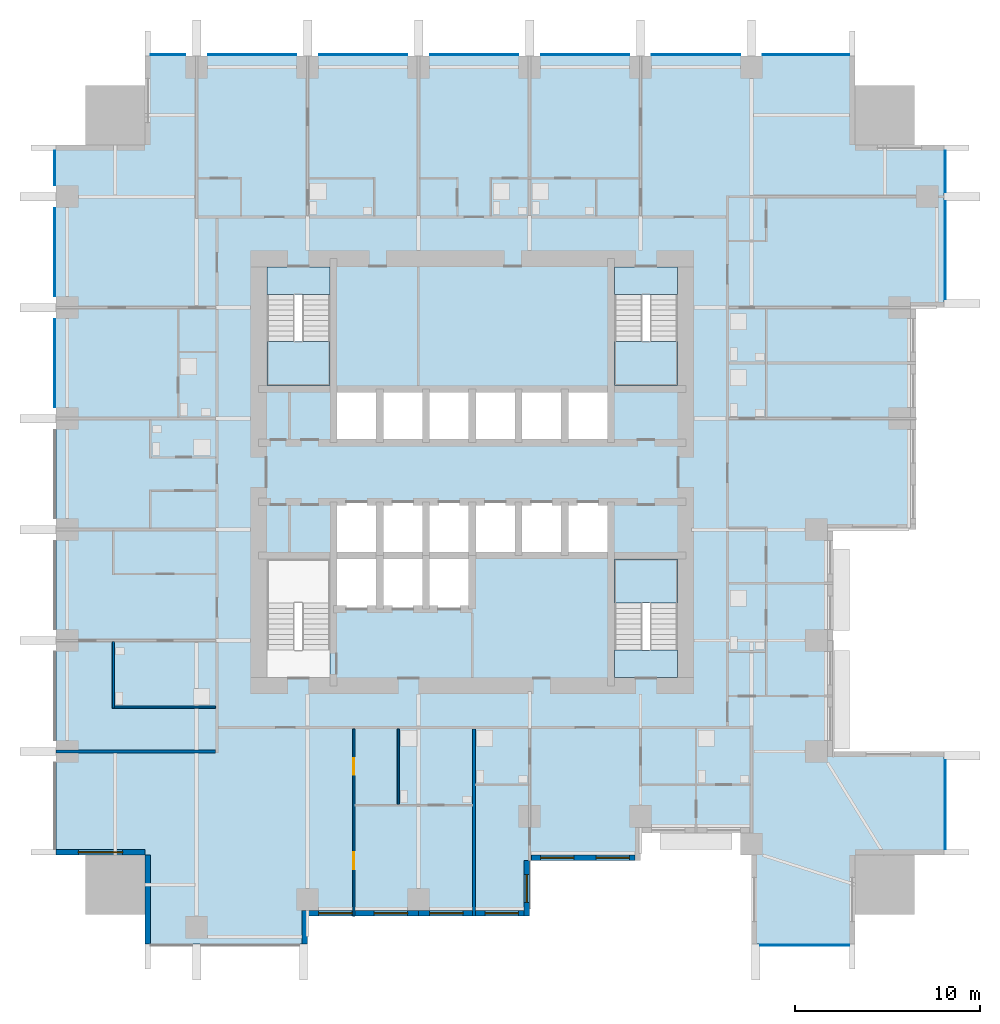
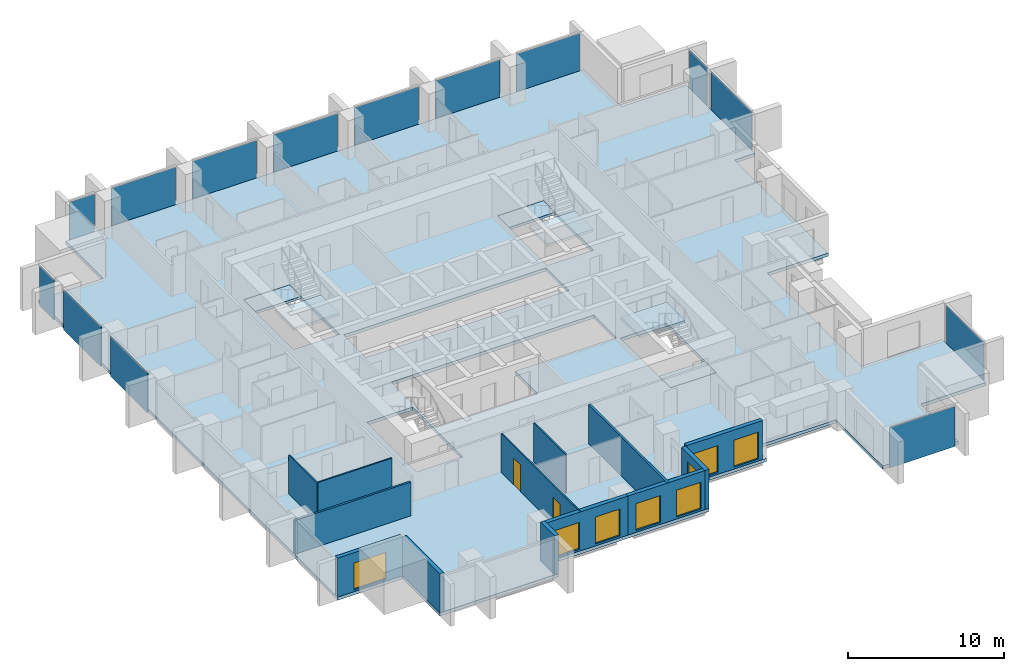
# One storey, part 3 of 10: 14 plates, 13 walls, 8 windows, 7 slabs, 2 doors, 10 openings, 8 elements without a shape of their own.
"""IFC4 building model written with IfcOpenShell, lengths in metres."""

from ifc_helpers import new_model, si_unit, direction, frame, frame_2d, origin, origin_2d, place, context, subcontext, project, spatial, polyline, rectangle, outline, extrude, material, layer, layer_set, type_object, element, fill, aggregate, save


model = new_model("IFC4")

# Units and contexts
model_context = context("Model", 3, precision=1e-05, world=origin(), true_north=direction((0.0, 1.0)))
body_context = subcontext(model_context, "Body", "Model", "MODEL_VIEW")
ifc_project = project(units=[si_unit("LENGTHUNIT", "METRE"), si_unit("AREAUNIT", "SQUARE_METRE"), si_unit("VOLUMEUNIT", "CUBIC_METRE"), si_unit("PLANEANGLEUNIT", "RADIAN"), si_unit("MASSUNIT", "GRAM", prefix="KILO")], contexts=[model_context])

# Site, building, storey
site_placement = place(None, origin())
site = spatial("IfcSite", under=ifc_project, at=site_placement, CompositionType="ELEMENT")
building_placement = place(site_placement, origin())
building = spatial("IfcBuilding", under=site, at=building_placement, Name="Amberfall Residences", CompositionType="ELEMENT")
storey_placement = place(building_placement, frame((0.0, 0.0, 63.10009765625)))
storey = spatial("IfcBuildingStorey", under=building, at=storey_placement, Name="L17", CompositionType="ELEMENT", Elevation=63.10009765625)

# Curtain wall, plate
ifc_material_1 = material(Name="Bronze anodised aluminium and glass", Category="aluminium")
curtain_wall_type = type_object("IfcCurtainWallType", Name="Curtain wall CW1 tower unit", PredefinedType="USERDEFINED", material=ifc_material_1)
curtain_wall_1_placement = place(storey_placement, origin())
curtain_wall_1 = element("IfcCurtainWall", 1, at=curtain_wall_1_placement, inside=storey, type_object=curtain_wall_type, Name="Curtain wall L17 S S10", ObjectType="UNITISED CURTAIN WALL", PredefinedType="USERDEFINED")
ifc_material_2 = material(Name="Tinted double glazed unit", Category="glass")
ifc_layer_1 = layer(ifc_material_2, 0.035888671875)
ifc_layer_set_1 = layer_set([ifc_layer_1], Name="CW1 panel 36 glazing")
plate_type = type_object("IfcPlateType", Name="CW1 panel 36 glazing", PredefinedType="CURTAIN_PANEL", material=ifc_layer_set_1)
plate_1_placement = place(storey_placement, frame((92.47509765625, 19.925048828125, -0.25), z_axis=(0.0, 0.0, 1.0), x_axis=(1.0, 0.0, 0.0)))
plate_1 = element("IfcPlate", 2, at=plate_1_placement, type_object=plate_type, Name="CW1 panel 1.1", PredefinedType="CURTAIN_PANEL", context=body_context, shape_type="SweptSolid", body=[
    extrude(rectangle(XDim=4.825927734375, YDim=0.035888671875, at=origin_2d()), origin(), (0.0, 0.0, 1.0), 3.14990234375),
])
aggregate(curtain_wall_1, [plate_1])

curtain_wall_2_placement = place(storey_placement, origin())
curtain_wall_2 = element("IfcCurtainWall", 3, at=curtain_wall_2_placement, inside=storey, type_object=curtain_wall_type, Name="Curtain wall L17 E E1", ObjectType="UNITISED CURTAIN WALL", PredefinedType="USERDEFINED")
plate_2_placement = place(storey_placement, frame((100.074951171875, 27.52490234375, -0.25), z_axis=(0.0, 0.0, 1.0), x_axis=(0.0, 1.0, 0.0)))
plate_2 = element("IfcPlate", 4, at=plate_2_placement, type_object=plate_type, Name="CW1 panel 1.1", PredefinedType="CURTAIN_PANEL", context=body_context, shape_type="SweptSolid", body=[
    extrude(rectangle(XDim=4.825927734375, YDim=0.035888671875, at=origin_2d()), origin(), (0.0, 0.0, 1.0), 3.14990234375),
])
aggregate(curtain_wall_2, [plate_2])

# Curtain wall, plates
curtain_wall_3_placement = place(storey_placement, origin())
curtain_wall_3 = element("IfcCurtainWall", 5, at=curtain_wall_3_placement, inside=storey, type_object=curtain_wall_type, Name="Curtain wall L17 E E9", ObjectType="UNITISED CURTAIN WALL", PredefinedType="USERDEFINED")
plate_3_placement = place(storey_placement, frame((100.074951171875, 57.512451171875, -0.25), z_axis=(0.0, 0.0, 1.0), x_axis=(0.0, 1.0, 0.0)))
plate_3 = element("IfcPlate", 6, at=plate_3_placement, type_object=plate_type, Name="CW1 panel 1.1", PredefinedType="CURTAIN_PANEL", context=body_context, shape_type="SweptSolid", body=[
    extrude(rectangle(XDim=5.301025390625, YDim=0.035888671875, at=origin_2d()), origin(), (0.0, 0.0, 1.0), 3.14990234375),
])
plate_4_placement = place(storey_placement, frame((100.074951171875, 61.762451171875, -0.25), z_axis=(0.0, 0.0, 1.0), x_axis=(0.0, 1.0, 0.0)))
plate_4 = element("IfcPlate", 7, at=plate_4_placement, type_object=plate_type, Name="CW1 panel 2.1", PredefinedType="CURTAIN_PANEL", context=body_context, shape_type="SweptSolid", body=[
    extrude(rectangle(XDim=2.2509765625, YDim=0.035888671875, at=origin_2d()), origin(), (0.0, 0.0, 1.0), 3.14990234375),
])
aggregate(curtain_wall_3, [plate_3, plate_4])

curtain_wall_4_placement = place(storey_placement, origin())
curtain_wall_4 = element("IfcCurtainWall", 8, at=curtain_wall_4_placement, inside=storey, type_object=curtain_wall_type, Name="Curtain wall L17 N N1", ObjectType="UNITISED CURTAIN WALL", PredefinedType="USERDEFINED")
plate_5_placement = place(storey_placement, frame((92.552490234375, 68.074951171875, -0.25), z_axis=(0.0, 0.0, 1.0), x_axis=(-1.0, 0.0, 0.0)))
plate_5 = element("IfcPlate", 9, at=plate_5_placement, type_object=plate_type, Name="CW1 panel 1.1", PredefinedType="CURTAIN_PANEL", context=body_context, shape_type="SweptSolid", body=[
    extrude(rectangle(XDim=4.6708984375, YDim=0.035888671875, at=origin_2d()), origin(), (0.0, 0.0, 1.0), 3.14990234375),
])
plate_6_placement = place(storey_placement, frame((86.60009765625, 68.074951171875, -0.25), z_axis=(0.0, 0.0, 1.0), x_axis=(-1.0, 0.0, 0.0)))
plate_6 = element("IfcPlate", 10, at=plate_6_placement, type_object=plate_type, Name="CW1 panel 2.1", PredefinedType="CURTAIN_PANEL", context=body_context, shape_type="SweptSolid", body=[
    extrude(rectangle(XDim=4.76611328125, YDim=0.035888671875, at=origin_2d()), origin(), (0.0, 0.0, 1.0), 3.14990234375),
])
plate_7_placement = place(storey_placement, frame((80.60009765625, 68.074951171875, -0.25), z_axis=(0.0, 0.0, 1.0), x_axis=(-1.0, 0.0, 0.0)))
plate_7 = element("IfcPlate", 11, at=plate_7_placement, type_object=plate_type, Name="CW1 panel 3.1", PredefinedType="CURTAIN_PANEL", context=body_context, shape_type="SweptSolid", body=[
    extrude(rectangle(XDim=4.76611328125, YDim=0.035888671875, at=origin_2d()), origin(), (0.0, 0.0, 1.0), 3.14990234375),
])
plate_8_placement = place(storey_placement, frame((74.60009765625, 68.074951171875, -0.25), z_axis=(0.0, 0.0, 1.0), x_axis=(-1.0, 0.0, 0.0)))
plate_8 = element("IfcPlate", 12, at=plate_8_placement, type_object=plate_type, Name="CW1 panel 4.1", PredefinedType="CURTAIN_PANEL", context=body_context, shape_type="SweptSolid", body=[
    extrude(rectangle(XDim=4.76611328125, YDim=0.035888671875, at=origin_2d()), origin(), (0.0, 0.0, 1.0), 3.14990234375),
])
plate_9_placement = place(storey_placement, frame((68.60009765625, 68.074951171875, -0.25), z_axis=(0.0, 0.0, 1.0), x_axis=(-1.0, 0.0, 0.0)))
plate_9 = element("IfcPlate", 13, at=plate_9_placement, type_object=plate_type, Name="CW1 panel 5.1", PredefinedType="CURTAIN_PANEL", context=body_context, shape_type="SweptSolid", body=[
    extrude(rectangle(XDim=4.76611328125, YDim=0.035888671875, at=origin_2d()), origin(), (0.0, 0.0, 1.0), 3.14990234375),
])
plate_10_placement = place(storey_placement, frame((62.60009765625, 68.074951171875, -0.25), z_axis=(0.0, 0.0, 1.0), x_axis=(-1.0, 0.0, 0.0)))
plate_10 = element("IfcPlate", 14, at=plate_10_placement, type_object=plate_type, Name="CW1 panel 6.1", PredefinedType="CURTAIN_PANEL", context=body_context, shape_type="SweptSolid", body=[
    extrude(rectangle(XDim=4.76611328125, YDim=0.035888671875, at=origin_2d()), origin(), (0.0, 0.0, 1.0), 3.14990234375),
])
plate_11_placement = place(storey_placement, frame((58.047607421875, 68.074951171875, -0.25), z_axis=(0.0, 0.0, 1.0), x_axis=(-1.0, 0.0, 0.0)))
plate_11 = element("IfcPlate", 15, at=plate_11_placement, type_object=plate_type, Name="CW1 panel 7.1", PredefinedType="CURTAIN_PANEL", context=body_context, shape_type="SweptSolid", body=[
    extrude(rectangle(XDim=1.87109375, YDim=0.035888671875, at=origin_2d()), origin(), (0.0, 0.0, 1.0), 3.14990234375),
])
aggregate(curtain_wall_4, [plate_5, plate_6, plate_7, plate_8, plate_9, plate_10, plate_11])

curtain_wall_5_placement = place(storey_placement, origin())
curtain_wall_5 = element("IfcCurtainWall", 16, at=curtain_wall_5_placement, inside=storey, type_object=curtain_wall_type, Name="Curtain wall L17 W W1", ObjectType="UNITISED CURTAIN WALL", PredefinedType="USERDEFINED")
plate_12_placement = place(storey_placement, frame((51.925048828125, 61.952392578125, -0.25), z_axis=(0.0, 0.0, 1.0), x_axis=(0.0, -1.0, 0.0)))
plate_12 = element("IfcPlate", 17, at=plate_12_placement, type_object=plate_type, Name="CW1 panel 1.1", PredefinedType="CURTAIN_PANEL", context=body_context, shape_type="SweptSolid", body=[
    extrude(rectangle(XDim=1.87109375, YDim=0.035888671875, at=origin_2d()), origin(), (0.0, 0.0, 1.0), 3.14990234375),
])
plate_13_placement = place(storey_placement, frame((51.925048828125, 57.39990234375, -0.25), z_axis=(0.0, 0.0, 1.0), x_axis=(0.0, -1.0, 0.0)))
plate_13 = element("IfcPlate", 18, at=plate_13_placement, type_object=plate_type, Name="CW1 panel 2.1", PredefinedType="CURTAIN_PANEL", context=body_context, shape_type="SweptSolid", body=[
    extrude(rectangle(XDim=4.76611328125, YDim=0.035888671875, at=origin_2d()), origin(), (0.0, 0.0, 1.0), 3.14990234375),
])
plate_14_placement = place(storey_placement, frame((51.925048828125, 51.39990234375, -0.25), z_axis=(0.0, 0.0, 1.0), x_axis=(0.0, -1.0, 0.0)))
plate_14 = element("IfcPlate", 19, at=plate_14_placement, type_object=plate_type, Name="CW1 panel 3.1", PredefinedType="CURTAIN_PANEL", context=body_context, shape_type="SweptSolid", body=[
    extrude(rectangle(XDim=4.76611328125, YDim=0.035888671875, at=origin_2d()), origin(), (0.0, 0.0, 1.0), 3.14990234375),
])
aggregate(curtain_wall_5, [plate_12, plate_13, plate_14])

# Slab
ifc_material_3 = material(Name="Concrete C80", Category="concrete")
ifc_layer_2 = layer(ifc_material_3, 0.25)
ifc_layer_set_2 = layer_set([ifc_layer_2], Name="Floor slab 250 C80")
slab_type_1 = type_object("IfcSlabType", Name="Floor slab 250 C80", PredefinedType="FLOOR", material=ifc_layer_set_2)
slab_1_placement = place(storey_placement, frame((0.0, 0.0, -0.25)))
element("IfcSlab", 20, at=slab_1_placement, inside=storey, type_object=slab_type_1, Name="Floor slab S3 L17", PredefinedType="FLOOR", context=body_context, shape_type="SweptSolid", body=[
    extrude(outline(polyline([(89.60009765625, 20.0), (89.60009765625, 26.0), (83.60009765625, 26.0), (83.60009765625, 24.5), (77.60009765625, 24.5), (77.60009765625, 21.5), (71.60009765625, 21.5), (65.60009765625, 21.5), (65.60009765625, 20.0), (56.800048828125, 20.0), (56.800048828125, 24.800048828125), (52.0, 24.800048828125), (52.0, 63.199951171875), (56.800048828125, 63.199951171875), (56.800048828125, 68.0), (95.199951171875, 68.0), (95.199951171875, 63.199951171875), (100.0, 63.199951171875), (100.0, 54.39990234375), (98.5, 54.39990234375), (98.5, 48.39990234375), (98.5, 42.39990234375), (94.0, 42.39990234375), (94.0, 36.39990234375), (94.0, 30.39990234375), (100.0, 30.39990234375), (100.0, 24.800048828125), (95.199951171875, 24.800048828125), (95.199951171875, 20.0), (89.60009765625, 20.0)]), holes=[polyline([(85.60009765625, 34.39990234375), (85.60009765625, 40.800048828125), (82.199951171875, 40.800048828125), (82.199951171875, 34.39990234375), (85.60009765625, 34.39990234375)]), polyline([(82.199951171875, 50.199951171875), (85.60009765625, 50.199951171875), (85.60009765625, 56.60009765625), (82.199951171875, 56.60009765625), (82.199951171875, 50.199951171875)]), polyline([(69.5, 50.0), (67.0, 50.0), (67.0, 47.10009765625), (69.5, 47.10009765625), (72.0, 47.10009765625), (74.5, 47.10009765625), (77.0, 47.10009765625), (79.5, 47.10009765625), (82.0, 47.10009765625), (82.0, 50.0), (79.5, 50.0), (77.0, 50.0), (74.5, 50.0), (72.0, 50.0), (69.5, 50.0)]), polyline([(74.5, 41.0), (77.0, 41.0), (79.5, 41.0), (82.0, 41.0), (82.0, 43.89990234375), (79.5, 43.89990234375), (77.0, 43.89990234375), (74.5, 43.89990234375), (72.0, 43.89990234375), (69.5, 43.89990234375), (67.0, 43.89990234375), (67.0, 41.0), (67.0, 38.10009765625), (69.5, 38.10009765625), (72.0, 38.10009765625), (74.5, 38.10009765625), (74.5, 41.0)]), polyline([(66.800048828125, 34.39990234375), (66.800048828125, 40.800048828125), (63.39990234375, 40.800048828125), (63.39990234375, 34.39990234375), (66.800048828125, 34.39990234375)]), polyline([(66.800048828125, 50.199951171875), (66.800048828125, 56.60009765625), (63.39990234375, 56.60009765625), (63.39990234375, 50.199951171875), (66.800048828125, 50.199951171875)])]), origin(), (0.0, 0.0, 1.0), 0.25),
])

# Stair, slabs
ifc_material_4 = material(Name="Concrete C40", Category="concrete")
stair_type = type_object("IfcStairType", Name="Exit stair 20 risers 165.0 mm", PredefinedType="HALF_TURN_STAIR", material=ifc_material_4)
stair_1_placement = place(storey_placement, origin())
stair_1 = element("IfcStair", 21, at=stair_1_placement, inside=storey, type_object=stair_type, Name="L17 Exit stair 2", PredefinedType="HALF_TURN_STAIR")
ifc_layer_3 = layer(ifc_material_4, 0.199951171875)
ifc_layer_set_3 = layer_set([ifc_layer_3], Name="Stair landing 200")
slab_type_2 = type_object("IfcSlabType", Name="Stair landing 200", PredefinedType="LANDING", material=ifc_layer_set_3)
slab_2_placement = place(storey_placement, frame((0.0, 0.0, 1.449951171875)))
slab_2 = element("IfcSlab", 22, at=slab_2_placement, type_object=slab_type_2, Name="ST3 landing 1", PredefinedType="LANDING", context=body_context, shape_type="SweptSolid", body=[
    extrude(outline(polyline([(85.60009765625, 38.419921875), (85.60009765625, 40.800048828125), (82.199951171875, 40.800048828125), (82.199951171875, 38.419921875), (85.60009765625, 38.419921875)])), origin(), (0.0, 0.0, 1.0), 0.199951171875),
])
slab_3_placement = place(storey_placement, frame((0.0, 0.0, -0.2001953125)))
slab_3 = element("IfcSlab", 23, at=slab_3_placement, type_object=slab_type_2, Name="ST3 landing 2", PredefinedType="LANDING", context=body_context, shape_type="SweptSolid", body=[
    extrude(outline(polyline([(85.60009765625, 34.39990234375), (85.60009765625, 35.89990234375), (82.199951171875, 35.89990234375), (82.199951171875, 34.39990234375), (85.60009765625, 34.39990234375)])), origin(), (0.0, 0.0, 1.0), 0.2001953125),
])
aggregate(stair_1, [slab_2, slab_3])

stair_2_placement = place(storey_placement, origin())
stair_2 = element("IfcStair", 24, at=stair_2_placement, inside=storey, type_object=stair_type, Name="L17 Exit stair 3", PredefinedType="HALF_TURN_STAIR")
slab_4_placement = place(storey_placement, frame((0.0, 0.0, 1.449951171875)))
slab_4 = element("IfcSlab", 25, at=slab_4_placement, type_object=slab_type_2, Name="ST3 landing 1", PredefinedType="LANDING", context=body_context, shape_type="SweptSolid", body=[
    extrude(outline(polyline([(82.199951171875, 52.580078125), (82.199951171875, 50.199951171875), (85.60009765625, 50.199951171875), (85.60009765625, 52.580078125), (82.199951171875, 52.580078125)])), origin(), (0.0, 0.0, 1.0), 0.199951171875),
])
slab_5_placement = place(storey_placement, frame((0.0, 0.0, -0.2001953125)))
slab_5 = element("IfcSlab", 26, at=slab_5_placement, type_object=slab_type_2, Name="ST3 landing 2", PredefinedType="LANDING", context=body_context, shape_type="SweptSolid", body=[
    extrude(outline(polyline([(82.199951171875, 56.60009765625), (82.199951171875, 55.10009765625), (85.60009765625, 55.10009765625), (85.60009765625, 56.60009765625), (82.199951171875, 56.60009765625)])), origin(), (0.0, 0.0, 1.0), 0.2001953125),
])
aggregate(stair_2, [slab_4, slab_5])

stair_3_placement = place(storey_placement, origin())
stair_3 = element("IfcStair", 27, at=stair_3_placement, inside=storey, type_object=stair_type, Name="L17 Exit stair 4", PredefinedType="HALF_TURN_STAIR")
slab_6_placement = place(storey_placement, frame((0.0, 0.0, 1.449951171875)))
slab_6 = element("IfcSlab", 28, at=slab_6_placement, type_object=slab_type_2, Name="ST3 landing 1", PredefinedType="LANDING", context=body_context, shape_type="SweptSolid", body=[
    extrude(outline(polyline([(63.39990234375, 52.580078125), (63.39990234375, 50.199951171875), (66.800048828125, 50.199951171875), (66.800048828125, 52.580078125), (63.39990234375, 52.580078125)])), origin(), (0.0, 0.0, 1.0), 0.199951171875),
])
slab_7_placement = place(storey_placement, frame((0.0, 0.0, -0.2001953125)))
slab_7 = element("IfcSlab", 29, at=slab_7_placement, type_object=slab_type_2, Name="ST3 landing 2", PredefinedType="LANDING", context=body_context, shape_type="SweptSolid", body=[
    extrude(outline(polyline([(63.39990234375, 56.60009765625), (63.39990234375, 55.10009765625), (66.800048828125, 55.10009765625), (66.800048828125, 56.60009765625), (63.39990234375, 56.60009765625)])), origin(), (0.0, 0.0, 1.0), 0.2001953125),
])
aggregate(stair_3, [slab_6, slab_7])

# Wall
ifc_material_5 = material(Name="Pale stone cladding on insulated backing", Category="masonry")
ifc_layer_4 = layer(ifc_material_5, 0.300048828125)
ifc_layer_set_4 = layer_set([ifc_layer_4], Name="Bronze clad wall 300")
wall_type_1 = type_object("IfcWallType", Name="Bronze clad wall 300", PredefinedType="SOLIDWALL", material=ifc_layer_set_4)
wall_1_placement = place(storey_placement, frame((65.449951171875, 20.0, 0.0), z_axis=(0.0, 0.0, 1.0), x_axis=(0.0, 1.0, 0.0)))
element("IfcWall", 30, at=wall_1_placement, inside=storey, type_object=wall_type_1, Name="External wall L17 S", PredefinedType="SOLIDWALL", context=body_context, shape_type="SweptSolid", body=[
    extrude(rectangle(XDim=1.800048828125, YDim=0.300048828125, at=frame_2d((0.89990234375, 0.0))), origin(), (0.0, 0.0, 1.0), 3.0498046875),
])

# Wall, opening, window
wall_2_placement = place(storey_placement, frame((77.449951171875, 21.5, 0.0), z_axis=(0.0, 0.0, 1.0), x_axis=(0.0, 1.0, 0.0)))
wall_2 = element("IfcWall", 31, at=wall_2_placement, inside=storey, type_object=wall_type_1, Name="External wall L17 S", PredefinedType="SOLIDWALL", context=body_context, shape_type="SweptSolid", body=[
    extrude(rectangle(XDim=3.0, YDim=0.300048828125, at=frame_2d((1.5, 0.0))), origin(), (0.0, 0.0, 1.0), 3.0498046875),
])
opening_1_placement = place(wall_2_placement, frame((0.75, 0.0, 0.89990234375)))
opening_1 = element("IfcOpeningElement", 32, at=opening_1_placement, cuts=wall_2, Name="Opening WN1", PredefinedType="OPENING", context=body_context, shape_type="SweptSolid", body=[
    extrude(rectangle(XDim=1.5, YDim=1.5, at=frame_2d((0.75, 0.75))), frame((0.0, 0.159912109375, 0.0), z_axis=(0.0, -1.0, 0.0), x_axis=(1.0, 0.0, 0.0)), (0.0, 0.0, 1.0), 0.320068359375),
])
ifc_material_6 = material(Name="Bronze aluminium framed glazing", Category="aluminium")
window_type_1 = type_object("IfcWindowType", Name="Window 1500 x 1500 bronze", PartitioningType="DOUBLE_PANEL_VERTICAL", PredefinedType="WINDOW", material=ifc_material_6)
window_1_placement = place(opening_1_placement, origin())
window_1 = element("IfcWindow", 33, at=window_1_placement, inside=storey, type_object=window_type_1, Name="Window L17 S", OverallHeight=1.5, OverallWidth=1.5, PartitioningType="DOUBLE_PANEL_VERTICAL", PredefinedType="WINDOW", context=body_context, shape_type="SweptSolid", body=[
    extrude(rectangle(XDim=1.5, YDim=1.5, at=frame_2d((0.75, 0.75))), frame((0.0, 0.030029296875, 0.0), z_axis=(0.0, -1.0, 0.0), x_axis=(1.0, 0.0, 0.0)), (0.0, 0.0, 1.0), 0.06005859375),
])
fill(opening_1, window_1)

wall_3_placement = place(storey_placement, frame((52.0, 24.949951171875, 0.0), z_axis=(0.0, 0.0, 1.0), x_axis=(1.0, 0.0, 0.0)))
wall_3 = element("IfcWall", 34, at=wall_3_placement, inside=storey, type_object=wall_type_1, Name="External wall L17 SW", PredefinedType="SOLIDWALL", context=body_context, shape_type="SweptSolid", body=[
    extrude(rectangle(XDim=4.800048828125, YDim=0.300048828125, at=frame_2d((2.39990234375, 0.0))), origin(), (0.0, 0.0, 1.0), 3.0498046875),
])
opening_2_placement = place(wall_3_placement, frame((1.199951171875, 0.0, 0.14990234375)))
opening_2 = element("IfcOpeningElement", 35, at=opening_2_placement, cuts=wall_3, Name="Opening WN5", PredefinedType="OPENING", context=body_context, shape_type="SweptSolid", body=[
    extrude(rectangle(XDim=2.39990234375, YDim=2.10009765625, at=frame_2d((1.199951171875, 1.050048828125))), frame((0.0, 0.159912109375, 0.0), z_axis=(0.0, -1.0, 0.0), x_axis=(1.0, 0.0, 0.0)), (0.0, 0.0, 1.0), 0.320068359375),
])
window_type_2 = type_object("IfcWindowType", Name="Glazed opening 2400 x 2100 bronze", PartitioningType="DOUBLE_PANEL_VERTICAL", PredefinedType="WINDOW", material=ifc_material_6)
window_2_placement = place(opening_2_placement, origin())
window_2 = element("IfcWindow", 36, at=window_2_placement, inside=storey, type_object=window_type_2, Name="Window L17 SW", OverallHeight=2.10009765625, OverallWidth=2.39990234375, PartitioningType="DOUBLE_PANEL_VERTICAL", PredefinedType="WINDOW", context=body_context, shape_type="SweptSolid", body=[
    extrude(rectangle(XDim=2.39990234375, YDim=2.10009765625, at=frame_2d((1.199951171875, 1.050048828125))), frame((0.0, 0.030029296875, 0.0), z_axis=(0.0, -1.0, 0.0), x_axis=(1.0, 0.0, 0.0)), (0.0, 0.0, 1.0), 0.06005859375),
])
fill(opening_2, window_2)

# Wall
wall_4_placement = place(storey_placement, frame((56.949951171875, 24.800048828125, 0.0), z_axis=(0.0, 0.0, 1.0), x_axis=(0.0, -1.0, 0.0)))
element("IfcWall", 37, at=wall_4_placement, inside=storey, type_object=wall_type_1, Name="External wall L17 SW", PredefinedType="SOLIDWALL", context=body_context, shape_type="SweptSolid", body=[
    extrude(rectangle(XDim=4.800048828125, YDim=0.300048828125, at=frame_2d((2.39990234375, 0.0))), origin(), (0.0, 0.0, 1.0), 3.0498046875),
])

# Wall, openings, windows
wall_5_placement = place(storey_placement, frame((65.60009765625, 21.64990234375, 0.0), z_axis=(0.0, 0.0, 1.0), x_axis=(1.0, 0.0, 0.0)))
wall_5 = element("IfcWall", 38, at=wall_5_placement, inside=storey, type_object=wall_type_1, Name="Stone wall L17 S", PredefinedType="SOLIDWALL", context=body_context, shape_type="SweptSolid", body=[
    extrude(rectangle(XDim=6.0, YDim=0.300048828125, at=frame_2d((3.0, 0.0))), origin(), (0.0, 0.0, 1.0), 3.0498046875),
])
opening_3_placement = place(wall_5_placement, frame((0.60009765625, 0.0, 0.14990234375)))
opening_3 = element("IfcOpeningElement", 39, at=opening_3_placement, cuts=wall_5, Name="Opening WN6", PredefinedType="OPENING", context=body_context, shape_type="SweptSolid", body=[
    extrude(rectangle(XDim=1.800048828125, YDim=2.10009765625, at=frame_2d((0.89990234375, 1.050048828125))), frame((0.0, 0.159912109375, 0.0), z_axis=(0.0, -1.0, 0.0), x_axis=(1.0, 0.0, 0.0)), (0.0, 0.0, 1.0), 0.320068359375),
])
opening_4_placement = place(wall_5_placement, frame((3.60009765625, 0.0, 0.14990234375)))
opening_4 = element("IfcOpeningElement", 40, at=opening_4_placement, cuts=wall_5, Name="Opening WN6", PredefinedType="OPENING", context=body_context, shape_type="SweptSolid", body=[
    extrude(rectangle(XDim=1.800048828125, YDim=2.10009765625, at=frame_2d((0.89990234375, 1.050048828125))), frame((0.0, 0.159912109375, 0.0), z_axis=(0.0, -1.0, 0.0), x_axis=(1.0, 0.0, 0.0)), (0.0, 0.0, 1.0), 0.320068359375),
])
window_type_3 = type_object("IfcWindowType", Name="Glazed opening 1800 x 2100 bronze", PartitioningType="DOUBLE_PANEL_VERTICAL", PredefinedType="WINDOW", material=ifc_material_6)
window_3_placement = place(opening_3_placement, origin())
window_3 = element("IfcWindow", 41, at=window_3_placement, inside=storey, type_object=window_type_3, Name="Window L17 S", OverallHeight=2.10009765625, OverallWidth=1.800048828125, PartitioningType="DOUBLE_PANEL_VERTICAL", PredefinedType="WINDOW", context=body_context, shape_type="SweptSolid", body=[
    extrude(rectangle(XDim=1.800048828125, YDim=2.10009765625, at=frame_2d((0.89990234375, 1.050048828125))), frame((0.0, 0.030029296875, 0.0), z_axis=(0.0, -1.0, 0.0), x_axis=(1.0, 0.0, 0.0)), (0.0, 0.0, 1.0), 0.06005859375),
])
fill(opening_3, window_3)
window_4_placement = place(opening_4_placement, origin())
window_4 = element("IfcWindow", 42, at=window_4_placement, inside=storey, type_object=window_type_3, Name="Window L17 S", OverallHeight=2.10009765625, OverallWidth=1.800048828125, PartitioningType="DOUBLE_PANEL_VERTICAL", PredefinedType="WINDOW", context=body_context, shape_type="SweptSolid", body=[
    extrude(rectangle(XDim=1.800048828125, YDim=2.10009765625, at=frame_2d((0.89990234375, 1.050048828125))), frame((0.0, 0.030029296875, 0.0), z_axis=(0.0, -1.0, 0.0), x_axis=(1.0, 0.0, 0.0)), (0.0, 0.0, 1.0), 0.06005859375),
])
fill(opening_4, window_4)

wall_6_placement = place(storey_placement, frame((71.60009765625, 21.64990234375, 0.0), z_axis=(0.0, 0.0, 1.0), x_axis=(1.0, 0.0, 0.0)))
wall_6 = element("IfcWall", 43, at=wall_6_placement, inside=storey, type_object=wall_type_1, Name="Stone wall L17 S", PredefinedType="SOLIDWALL", context=body_context, shape_type="SweptSolid", body=[
    extrude(rectangle(XDim=5.699951171875, YDim=0.300048828125, at=frame_2d((2.85009765625, 0.0))), origin(), (0.0, 0.0, 1.0), 3.0498046875),
])
opening_5_placement = place(wall_6_placement, frame((0.60009765625, 0.0, 0.14990234375)))
opening_5 = element("IfcOpeningElement", 44, at=opening_5_placement, cuts=wall_6, Name="Opening WN6", PredefinedType="OPENING", context=body_context, shape_type="SweptSolid", body=[
    extrude(rectangle(XDim=1.800048828125, YDim=2.10009765625, at=frame_2d((0.89990234375, 1.050048828125))), frame((0.0, 0.159912109375, 0.0), z_axis=(0.0, -1.0, 0.0), x_axis=(1.0, 0.0, 0.0)), (0.0, 0.0, 1.0), 0.320068359375),
])
opening_6_placement = place(wall_6_placement, frame((3.60009765625, 0.0, 0.14990234375)))
opening_6 = element("IfcOpeningElement", 45, at=opening_6_placement, cuts=wall_6, Name="Opening WN6", PredefinedType="OPENING", context=body_context, shape_type="SweptSolid", body=[
    extrude(rectangle(XDim=1.800048828125, YDim=2.10009765625, at=frame_2d((0.89990234375, 1.050048828125))), frame((0.0, 0.159912109375, 0.0), z_axis=(0.0, -1.0, 0.0), x_axis=(1.0, 0.0, 0.0)), (0.0, 0.0, 1.0), 0.320068359375),
])
window_5_placement = place(opening_5_placement, origin())
window_5 = element("IfcWindow", 46, at=window_5_placement, inside=storey, type_object=window_type_3, Name="Window L17 S", OverallHeight=2.10009765625, OverallWidth=1.800048828125, PartitioningType="DOUBLE_PANEL_VERTICAL", PredefinedType="WINDOW", context=body_context, shape_type="SweptSolid", body=[
    extrude(rectangle(XDim=1.800048828125, YDim=2.10009765625, at=frame_2d((0.89990234375, 1.050048828125))), frame((0.0, 0.030029296875, 0.0), z_axis=(0.0, -1.0, 0.0), x_axis=(1.0, 0.0, 0.0)), (0.0, 0.0, 1.0), 0.06005859375),
])
fill(opening_5, window_5)
window_6_placement = place(opening_6_placement, origin())
window_6 = element("IfcWindow", 47, at=window_6_placement, inside=storey, type_object=window_type_3, Name="Window L17 S", OverallHeight=2.10009765625, OverallWidth=1.800048828125, PartitioningType="DOUBLE_PANEL_VERTICAL", PredefinedType="WINDOW", context=body_context, shape_type="SweptSolid", body=[
    extrude(rectangle(XDim=1.800048828125, YDim=2.10009765625, at=frame_2d((0.89990234375, 1.050048828125))), frame((0.0, 0.030029296875, 0.0), z_axis=(0.0, -1.0, 0.0), x_axis=(1.0, 0.0, 0.0)), (0.0, 0.0, 1.0), 0.06005859375),
])
fill(opening_6, window_6)

wall_7_placement = place(storey_placement, frame((77.68994140625, 24.64990234375, 0.0), z_axis=(0.0, 0.0, 1.0), x_axis=(1.0, 0.0, 0.0)))
wall_7 = element("IfcWall", 48, at=wall_7_placement, inside=storey, type_object=wall_type_1, Name="Stone wall L17 S", PredefinedType="SOLIDWALL", context=body_context, shape_type="SweptSolid", body=[
    extrude(rectangle(XDim=5.610107421875, YDim=0.300048828125, at=frame_2d((2.80517578125, 0.0))), origin(), (0.0, 0.0, 1.0), 3.0498046875),
])
opening_7_placement = place(wall_7_placement, frame((0.510009765625, 0.0, 0.14990234375)))
opening_7 = element("IfcOpeningElement", 49, at=opening_7_placement, cuts=wall_7, Name="Opening WN6", PredefinedType="OPENING", context=body_context, shape_type="SweptSolid", body=[
    extrude(rectangle(XDim=1.800048828125, YDim=2.10009765625, at=frame_2d((0.89990234375, 1.050048828125))), frame((0.0, 0.159912109375, 0.0), z_axis=(0.0, -1.0, 0.0), x_axis=(1.0, 0.0, 0.0)), (0.0, 0.0, 1.0), 0.320068359375),
])
opening_8_placement = place(wall_7_placement, frame((3.510009765625, 0.0, 0.14990234375)))
opening_8 = element("IfcOpeningElement", 50, at=opening_8_placement, cuts=wall_7, Name="Opening WN6", PredefinedType="OPENING", context=body_context, shape_type="SweptSolid", body=[
    extrude(rectangle(XDim=1.800048828125, YDim=2.10009765625, at=frame_2d((0.89990234375, 1.050048828125))), frame((0.0, 0.159912109375, 0.0), z_axis=(0.0, -1.0, 0.0), x_axis=(1.0, 0.0, 0.0)), (0.0, 0.0, 1.0), 0.320068359375),
])
window_7_placement = place(opening_7_placement, origin())
window_7 = element("IfcWindow", 51, at=window_7_placement, inside=storey, type_object=window_type_3, Name="Window L17 S", OverallHeight=2.10009765625, OverallWidth=1.800048828125, PartitioningType="DOUBLE_PANEL_VERTICAL", PredefinedType="WINDOW", context=body_context, shape_type="SweptSolid", body=[
    extrude(rectangle(XDim=1.800048828125, YDim=2.10009765625, at=frame_2d((0.89990234375, 1.050048828125))), frame((0.0, 0.030029296875, 0.0), z_axis=(0.0, -1.0, 0.0), x_axis=(1.0, 0.0, 0.0)), (0.0, 0.0, 1.0), 0.06005859375),
])
fill(opening_7, window_7)
window_8_placement = place(opening_8_placement, origin())
window_8 = element("IfcWindow", 52, at=window_8_placement, inside=storey, type_object=window_type_3, Name="Window L17 S", OverallHeight=2.10009765625, OverallWidth=1.800048828125, PartitioningType="DOUBLE_PANEL_VERTICAL", PredefinedType="WINDOW", context=body_context, shape_type="SweptSolid", body=[
    extrude(rectangle(XDim=1.800048828125, YDim=2.10009765625, at=frame_2d((0.89990234375, 1.050048828125))), frame((0.0, 0.030029296875, 0.0), z_axis=(0.0, -1.0, 0.0), x_axis=(1.0, 0.0, 0.0)), (0.0, 0.0, 1.0), 0.06005859375),
])
fill(opening_8, window_8)

# Wall
ifc_material_7 = material(Name="Gypsum board on metal stud")
ifc_layer_5 = layer(ifc_material_7, 0.10009765625)
ifc_layer_set_5 = layer_set([ifc_layer_5], Name="Flat partition 100")
wall_type_2 = type_object("IfcWallType", Name="Flat partition 100", PredefinedType="PARTITIONING", material=ifc_layer_set_5)
wall_8_placement = place(storey_placement, frame((55.10009765625, 32.75, 0.0), z_axis=(0.0, 0.0, 1.0), x_axis=(0.0, 1.0, 0.0)))
element("IfcWall", 53, at=wall_8_placement, inside=storey, type_object=wall_type_2, Name="Partition 001", PredefinedType="PARTITIONING", context=body_context, shape_type="SweptSolid", body=[
    extrude(rectangle(XDim=3.60009765625, YDim=0.10009765625, at=frame_2d((1.800048828125, 0.0))), origin(), (0.0, 0.0, 1.0), 3.0498046875),
])

# Wall, openings, doors
wall_9_placement = place(storey_placement, frame((68.10009765625, 31.625, 0.0), z_axis=(0.0, 0.0, 1.0), x_axis=(0.0, -1.0, 0.0)))
wall_9 = element("IfcWall", 54, at=wall_9_placement, inside=storey, type_object=wall_type_2, Name="Partition 008", PredefinedType="PARTITIONING", context=body_context, shape_type="SweptSolid", body=[
    extrude(rectangle(XDim=10.125, YDim=0.10009765625, at=frame_2d((5.0625, 0.0))), origin(), (0.0, 0.0, 1.0), 3.0498046875),
])
opening_9_placement = place(wall_9_placement, frame((1.574951171875, 0.0, 0.0)))
opening_9 = element("IfcOpeningElement", 55, at=opening_9_placement, cuts=wall_9, Name="Opening D41", PredefinedType="OPENING", context=body_context, shape_type="SweptSolid", body=[
    extrude(rectangle(XDim=0.89990234375, YDim=2.10009765625, at=frame_2d((0.449951171875, 1.050048828125))), frame((0.0, 0.06005859375, 0.0), z_axis=(0.0, -1.0, 0.0), x_axis=(1.0, 0.0, 0.0)), (0.0, 0.0, 1.0), 0.1201171875),
])
opening_10_placement = place(wall_9_placement, frame((6.675048828125, 0.0, 0.0)))
opening_10 = element("IfcOpeningElement", 56, at=opening_10_placement, cuts=wall_9, Name="Opening D41", PredefinedType="OPENING", context=body_context, shape_type="SweptSolid", body=[
    extrude(rectangle(XDim=0.89990234375, YDim=2.10009765625, at=frame_2d((0.449951171875, 1.050048828125))), frame((0.0, 0.06005859375, 0.0), z_axis=(0.0, -1.0, 0.0), x_axis=(1.0, 0.0, 0.0)), (0.0, 0.0, 1.0), 0.1201171875),
])
ifc_material_8 = material(Name="Timber", Category="wood")
door_type = type_object("IfcDoorType", Name="Internal door 900 x 2100", OperationType="SINGLE_SWING_LEFT", PredefinedType="DOOR", material=ifc_material_8)
door_1_placement = place(opening_9_placement, origin())
door_1 = element("IfcDoor", 57, at=door_1_placement, inside=storey, type_object=door_type, Name="Door 1701 kitchen", OperationType="SINGLE_SWING_LEFT", OverallHeight=2.10009765625, OverallWidth=0.89990234375, PredefinedType="DOOR", context=body_context, shape_type="SweptSolid", body=[
    extrude(rectangle(XDim=0.89990234375, YDim=2.10009765625, at=frame_2d((0.449951171875, 1.050048828125))), frame((0.0, 0.02490234375, 0.0), z_axis=(0.0, -1.0, 0.0), x_axis=(1.0, 0.0, 0.0)), (0.0, 0.0, 1.0), 0.050048828125),
])
fill(opening_9, door_1)
door_2_placement = place(opening_10_placement, origin())
door_2 = element("IfcDoor", 58, at=door_2_placement, inside=storey, type_object=door_type, Name="Door 1701 bedroom1", OperationType="SINGLE_SWING_LEFT", OverallHeight=2.10009765625, OverallWidth=0.89990234375, PredefinedType="DOOR", context=body_context, shape_type="SweptSolid", body=[
    extrude(rectangle(XDim=0.89990234375, YDim=2.10009765625, at=frame_2d((0.449951171875, 1.050048828125))), frame((0.0, 0.02490234375, 0.0), z_axis=(0.0, -1.0, 0.0), x_axis=(1.0, 0.0, 0.0)), (0.0, 0.0, 1.0), 0.050048828125),
])
fill(opening_10, door_2)

# Walls
wall_10_placement = place(storey_placement, frame((70.5, 27.550048828125, 0.0), z_axis=(0.0, 0.0, 1.0), x_axis=(0.0, 1.0, 0.0)))
element("IfcWall", 59, at=wall_10_placement, inside=storey, type_object=wall_type_2, Name="Partition 010", PredefinedType="PARTITIONING", context=body_context, shape_type="SweptSolid", body=[
    extrude(rectangle(XDim=4.074951171875, YDim=0.10009765625, at=frame_2d((2.03759765625, 0.0))), origin(), (0.0, 0.0, 1.0), 3.0498046875),
])
wall_11_placement = place(storey_placement, frame((55.14990234375, 32.800048828125, 0.0), z_axis=(0.0, 0.0, 1.0), x_axis=(1.0, 0.0, 0.0)))
element("IfcWall", 60, at=wall_11_placement, inside=storey, type_object=wall_type_2, Name="Partition 037", PredefinedType="PARTITIONING", context=body_context, shape_type="SweptSolid", body=[
    extrude(rectangle(XDim=5.47509765625, YDim=0.10009765625, at=frame_2d((2.737548828125, 0.0))), origin(), (0.0, 0.0, 1.0), 3.0498046875),
])
ifc_material_9 = material(Name="Blockwork, plastered", Category="masonry")
ifc_layer_6 = layer(ifc_material_9, 0.14990234375)
ifc_layer_set_6 = layer_set([ifc_layer_6], Name="Flat separating wall 150")
wall_type_3 = type_object("IfcWallType", Name="Flat separating wall 150", PredefinedType="PARTITIONING", material=ifc_layer_set_6)
wall_12_placement = place(storey_placement, frame((74.60009765625, 21.5, 0.0), z_axis=(0.0, 0.0, 1.0), x_axis=(0.0, 1.0, 0.0)))
element("IfcWall", 61, at=wall_12_placement, inside=storey, type_object=wall_type_3, Name="Separating wall 044", PredefinedType="PARTITIONING", context=body_context, shape_type="SweptSolid", body=[
    extrude(rectangle(XDim=10.125, YDim=0.14990234375, at=frame_2d((5.0625, 0.0))), origin(), (0.0, 0.0, 1.0), 3.0498046875),
])
wall_13_placement = place(storey_placement, frame((52.0, 30.39990234375, 0.0), z_axis=(0.0, 0.0, 1.0), x_axis=(1.0, 0.0, 0.0)))
element("IfcWall", 62, at=wall_13_placement, inside=storey, type_object=wall_type_3, Name="Separating wall 055", PredefinedType="PARTITIONING", context=body_context, shape_type="SweptSolid", body=[
    extrude(rectangle(XDim=8.625, YDim=0.14990234375, at=frame_2d((4.3125, 0.0))), origin(), (0.0, 0.0, 1.0), 2.64697265625),
])

save(model, "model.ifc")
